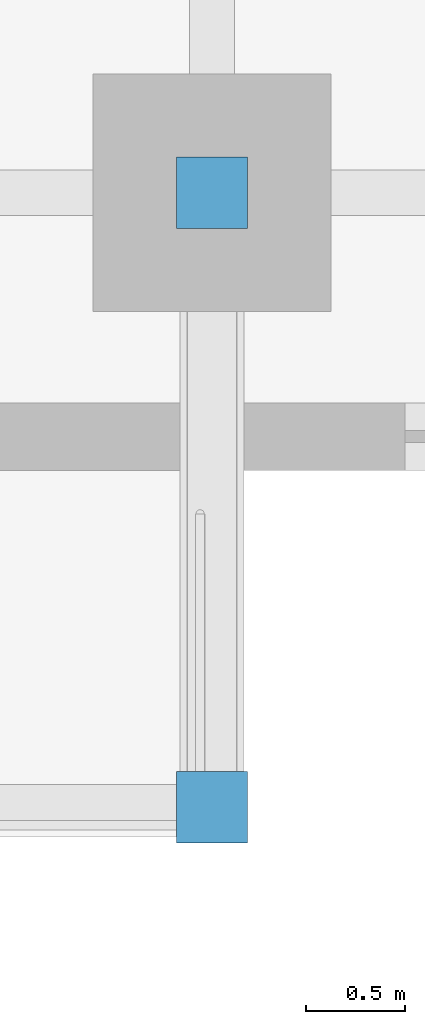
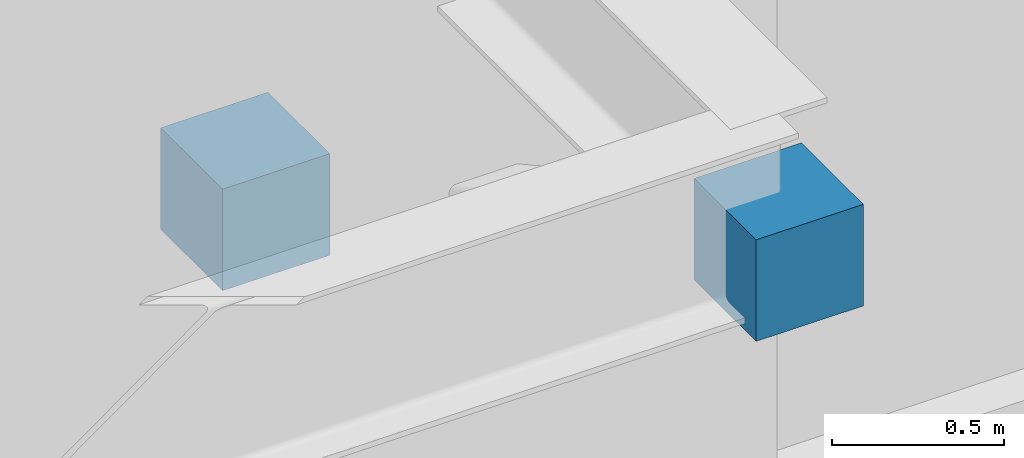
# One storey, part 11 of 13: 2 discrete accessories.
"""IFC4 building model written with IfcOpenShell, lengths in metres."""

from ifc_helpers import new_model, si_unit, direction, frame, origin, origin_2d, place, context, subcontext, project, spatial, rectangle, extrude, material, type_object, element, save


model = new_model("IFC4")

# Units and contexts
model_context = context("Model", 3, precision=1e-05, world=origin(), true_north=direction((0.0, 1.0)))
body_context = subcontext(model_context, "Body", "Model", "MODEL_VIEW")
ifc_project = project(units=[si_unit("LENGTHUNIT", "METRE"), si_unit("AREAUNIT", "SQUARE_METRE"), si_unit("VOLUMEUNIT", "CUBIC_METRE"), si_unit("PLANEANGLEUNIT", "RADIAN"), si_unit("MASSUNIT", "GRAM", prefix="KILO")], contexts=[model_context])

# Site, building, storey
site_placement = place(None, origin())
site = spatial("IfcSite", under=ifc_project, at=site_placement, CompositionType="ELEMENT")
building_placement = place(site_placement, origin())
building = spatial("IfcBuilding", under=site, at=building_placement, Name="Kestravale Grand Hotel", CompositionType="ELEMENT")
storey_placement = place(building_placement, frame((0.0, 0.0, 88.0)))
storey = spatial("IfcBuildingStorey", under=building, at=storey_placement, Name="L21", CompositionType="ELEMENT", Elevation=88.0)

# Discrete accessories
ifc_material = material(Name="Steel ASTM A572 Grade 50 hot-dip galvanised bracket", Category="steel")
discrete_accessory_type = type_object("IfcDiscreteAccessoryType", Name="ACC-BRK-STL", PredefinedType="BRACKET", material=ifc_material)
for number, where, z_axis, x_axis, name in (
    (1, (54.60009765625, 11.199951171875, 1.19384765625), (0.0, 0.0, 1.0), (1.0, 0.0, 0.0), "L22 terrace strut column bracket 2"),
    (2, (54.60009765625, 8.10009765625, 2.89404296875), (0.0, 0.0, 1.0), (1.0, 0.0, 0.0), "L22 terrace strut beam bracket 2"),
):
    element("IfcDiscreteAccessory", number, at=place(storey_placement, frame(where, z_axis=z_axis, x_axis=x_axis)), inside=storey, type_object=discrete_accessory_type, Name=name, PredefinedType="BRACKET", context=body_context, shape_type="SweptSolid", body=[
        extrude(rectangle(XDim=0.360107421875, YDim=0.360107421875, at=origin_2d()), origin(), (0.0, 0.0, 1.0), 0.360107421875),
    ])

save(model, "model.ifc")
